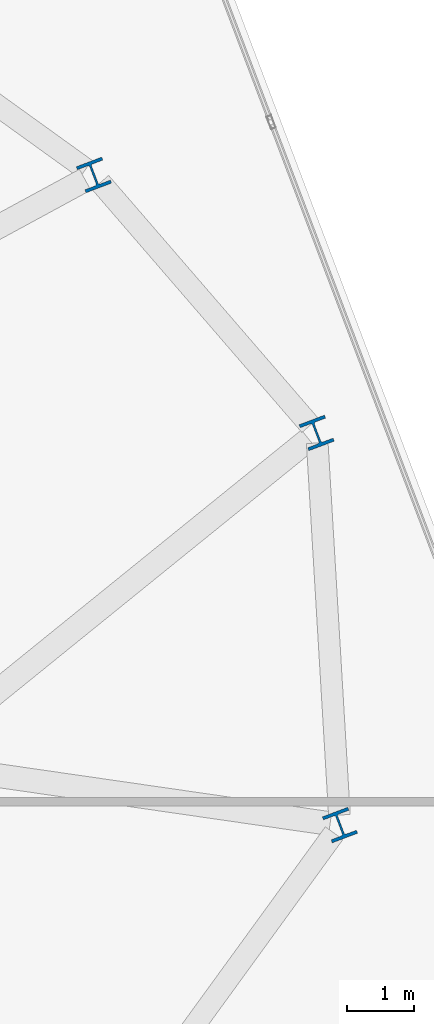
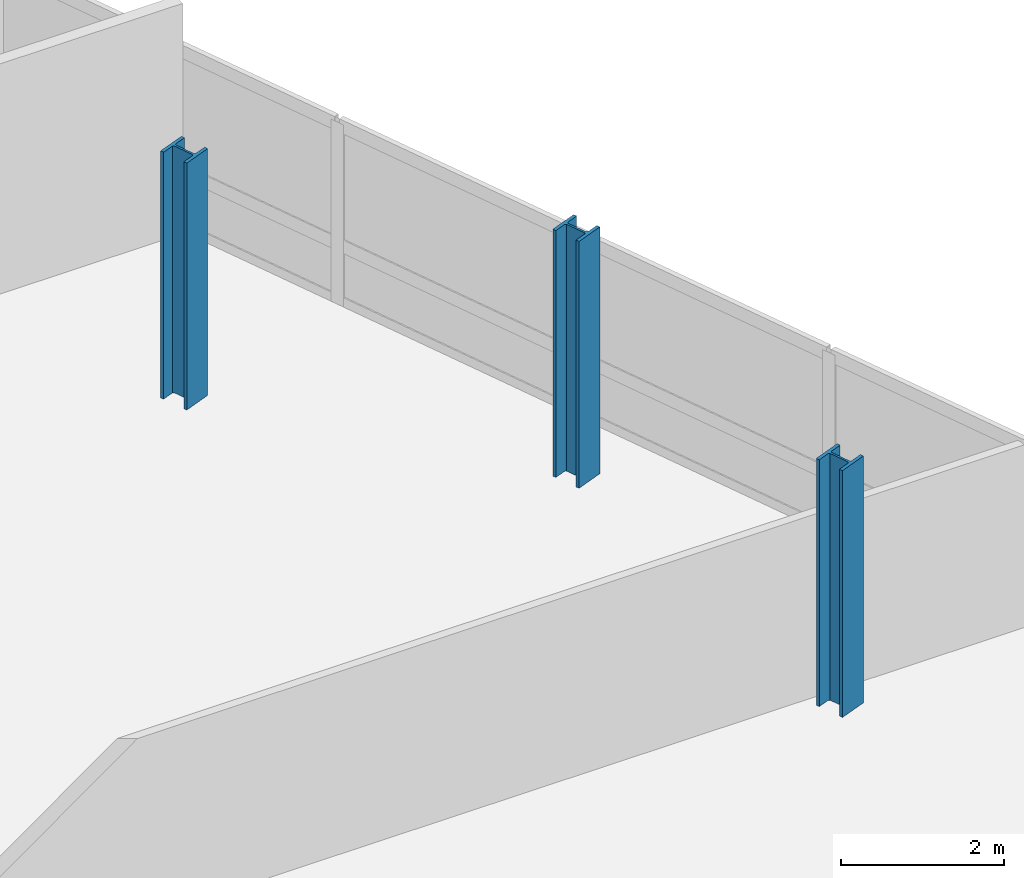
# One storey, part 2 of 24: 3 columns.
"""IFC4 building model written with IfcOpenShell, lengths in metres."""

from ifc_helpers import new_model, si_unit, direction, frame, origin, origin_2d, place, context, subcontext, project, spatial, i_section, extrude, material, material_profile, profile_set, type_object, element, save


model = new_model("IFC4")

# Units and contexts
model_context = context("Model", 3, precision=1e-05, world=origin(), true_north=direction((0.0, 1.0)))
body_context = subcontext(model_context, "Body", "Model", "MODEL_VIEW")
ifc_project = project(units=[si_unit("LENGTHUNIT", "METRE"), si_unit("AREAUNIT", "SQUARE_METRE"), si_unit("VOLUMEUNIT", "CUBIC_METRE"), si_unit("PLANEANGLEUNIT", "RADIAN"), si_unit("MASSUNIT", "GRAM", prefix="KILO")], contexts=[model_context])

# Site, building, storey
site_placement = place(None, origin())
site = spatial("IfcSite", under=ifc_project, at=site_placement, CompositionType="ELEMENT")
building_placement = place(site_placement, origin())
building = spatial("IfcBuilding", under=site, at=building_placement, Name="Varnelok Gate Tower", CompositionType="ELEMENT")
storey_placement = place(building_placement, frame((0.0, 0.0, 242.300048828125)))
storey = spatial("IfcBuildingStorey", under=building, at=storey_placement, Name="L62", CompositionType="ELEMENT", Elevation=242.300048828125)

# Columns
ifc_material = material(Name="Structural Steel ASTM A992 Grade 50", Category="steel")
ifc_material_profile = material_profile(ifc_material, i_section(OverallWidth=0.406005859375, OverallDepth=0.416015625, WebThickness=0.02978515625, FlangeThickness=0.048095703125, FilletRadius=0.02490234375, at=origin_2d()), Name="W14X257")
ifc_profile_set = profile_set([ifc_material_profile], Name="Structural Steel ASTM A992 Grade 50")
column_type = type_object("IfcColumnType", Name="COL-W14X257", PredefinedType="COLUMN", material=ifc_profile_set)
for number, where, z_axis, x_axis, name in (
    (1, (71.05517578125, 26.453369140625, 0.0), (0.0, 0.0, 1.0), (0.935221751401, 0.354062530786, 0.0), "L62 B5 Perimeter Column PC06"),
    (2, (70.70556640625, 32.319580078125, 0.0), (0.0, 0.0, 1.0), (0.935221751401, 0.354062530786, 0.0), "L62 B5 Perimeter Column PC07"),
    (3, (67.372802734375, 36.1796875, 0.0), (0.0, 0.0, 1.0), (0.935221751401, 0.354062530786, 0.0), "L62 B5 Perimeter Column PC08"),
):
    element("IfcColumn", number, at=place(storey_placement, frame(where, z_axis=z_axis, x_axis=x_axis)), inside=storey, type_object=column_type, Name=name, PredefinedType="COLUMN", context=body_context, shape_type="SweptSolid", body=[
        extrude(i_section(OverallWidth=0.406005859375, OverallDepth=0.416015625, WebThickness=0.02978515625, FlangeThickness=0.048095703125, FilletRadius=0.02490234375, at=origin_2d()), origin(), (0.0, 0.0, 1.0), 3.699951171875),
    ])

save(model, "model.ifc")
